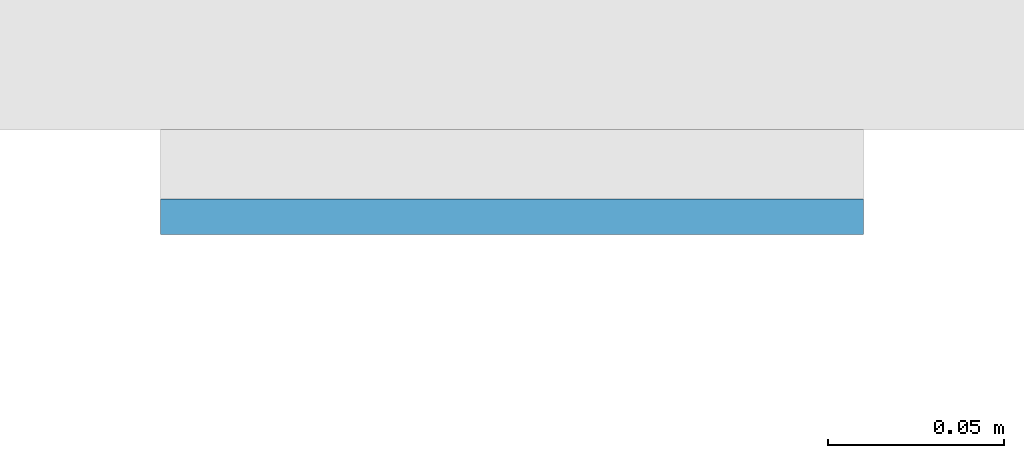
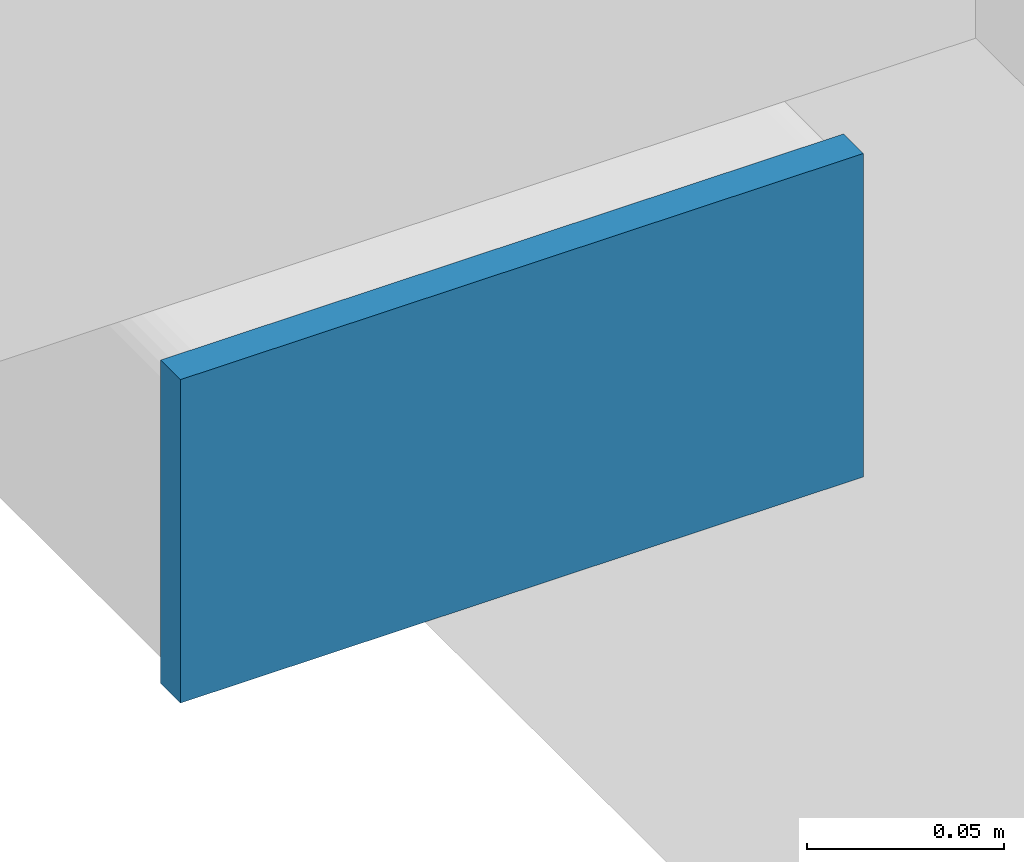
# One storey, part 7 of 15: 1 plate.
"""IFC4 building model written with IfcOpenShell, lengths in metres."""

from ifc_helpers import new_model, si_unit, direction, frame, origin, origin_2d, place, context, subcontext, project, spatial, rectangle, extrude, material, layer, layer_set, type_object, element, save


model = new_model("IFC4")

# Units and contexts
model_context = context("Model", 3, precision=1e-05, world=origin(), true_north=direction((0.0, 1.0)))
body_context = subcontext(model_context, "Body", "Model", "MODEL_VIEW")
ifc_project = project(units=[si_unit("LENGTHUNIT", "METRE"), si_unit("AREAUNIT", "SQUARE_METRE"), si_unit("VOLUMEUNIT", "CUBIC_METRE"), si_unit("PLANEANGLEUNIT", "RADIAN"), si_unit("MASSUNIT", "GRAM", prefix="KILO")], contexts=[model_context])

# Site, building, storey
site_placement = place(None, origin())
site = spatial("IfcSite", under=ifc_project, at=site_placement, CompositionType="ELEMENT")
building_placement = place(site_placement, origin())
building = spatial("IfcBuilding", under=site, at=building_placement, Name="Cleftline Residences", CompositionType="ELEMENT")
storey_placement = place(building_placement, frame((0.0, 0.0, 171.800048828125)))
storey = spatial("IfcBuildingStorey", under=building, at=storey_placement, Name="L45", CompositionType="ELEMENT", Elevation=171.800048828125)

# Plate
ifc_material = material(Name="Steel S355, hot-dip galvanised", Category="steel")
ifc_layer = layer(ifc_material, 0.010009765625)
ifc_layer_set = layer_set([ifc_layer], Name="BAGUETTE CARRIER END PLATE 200X100X10")
plate_type = type_object("IfcPlateType", Name="BAGUETTE CARRIER END PLATE 200X100X10", PredefinedType="USERDEFINED", material=ifc_layer_set)
plate_placement = place(storey_placement, frame((-0.85009765625, 3.695068359375, -0.10009765625), z_axis=(0.0, 0.0, 1.0), x_axis=(-1.0, 0.0, 0.0)))
element("IfcPlate", 1, at=plate_placement, inside=storey, type_object=plate_type, Name="Baguette carrier end plate", ObjectType="BAGUETTE CARRIER END PLATE", PredefinedType="USERDEFINED", context=body_context, shape_type="SweptSolid", body=[
    extrude(rectangle(XDim=0.199951171875, YDim=0.010009765625, at=origin_2d()), origin(), (0.0, 0.0, 1.0), 0.10009765625),
])

save(model, "model.ifc")
